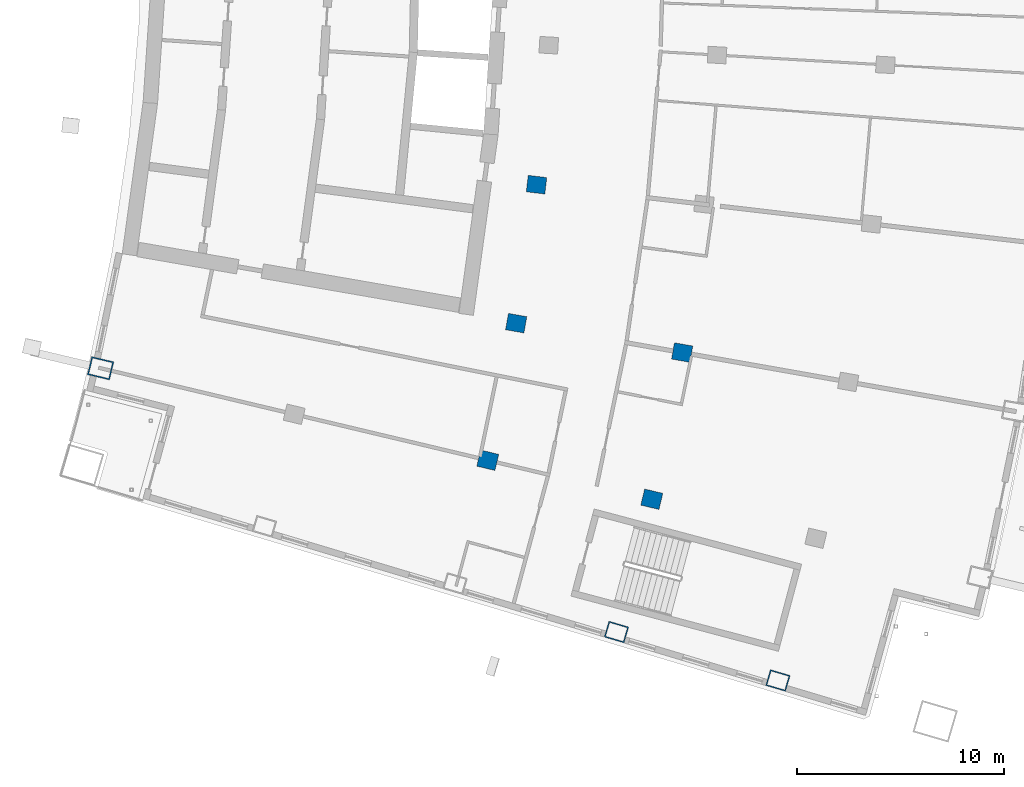
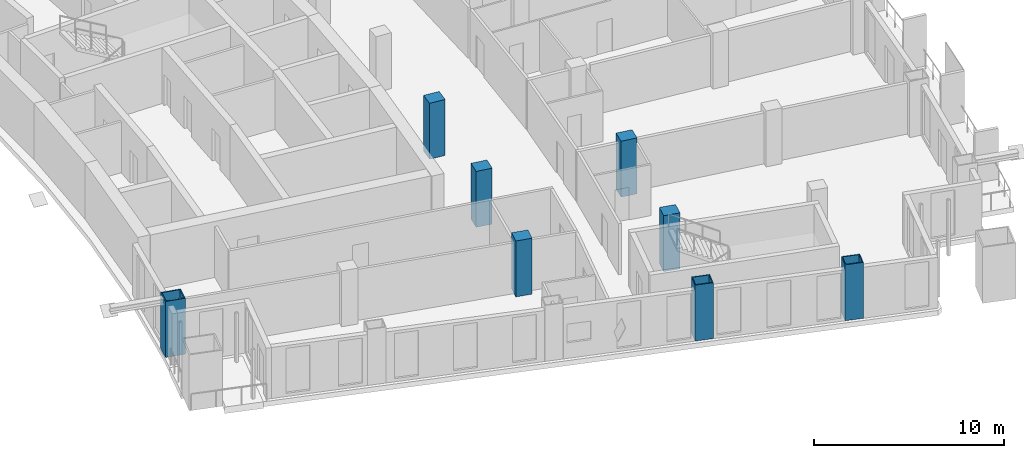
# One storey, part 2 of 21: 8 columns.
"""IFC4 building model written with IfcOpenShell, lengths in metres."""

from ifc_helpers import new_model, si_unit, direction, frame, origin, origin_2d, place, context, subcontext, project, spatial, rectangle, hollow_rectangle, extrude, material, material_profile, profile_set, type_object, element, save


model = new_model("IFC4")

# Units and contexts
model_context = context("Model", 3, precision=1e-05, world=origin(), true_north=direction((0.0, 1.0)))
body_context = subcontext(model_context, "Body", "Model", "MODEL_VIEW")
ifc_project = project(units=[si_unit("LENGTHUNIT", "METRE"), si_unit("AREAUNIT", "SQUARE_METRE"), si_unit("VOLUMEUNIT", "CUBIC_METRE"), si_unit("PLANEANGLEUNIT", "RADIAN"), si_unit("MASSUNIT", "GRAM", prefix="KILO")], contexts=[model_context])

# Site, building, storey
site_placement = place(None, origin())
site = spatial("IfcSite", under=ifc_project, at=site_placement, CompositionType="ELEMENT")
building_placement = place(site_placement, origin())
building = spatial("IfcBuilding", under=site, at=building_placement, Name="Alderwake Tower", CompositionType="ELEMENT")
storey_placement = place(building_placement, frame((0.0, 0.0, 146.0)))
storey = spatial("IfcBuildingStorey", under=building, at=storey_placement, Name="L35", CompositionType="ELEMENT", Elevation=146.0)

# Columns
ifc_material_1 = material(Name="Steel ASTM A572 Grade 50 concrete filled C70/85", Category="concrete")
ifc_material_profile_1 = material_profile(ifc_material_1, hollow_rectangle(XDim=0.800048828125, YDim=1.0, WallThickness=0.054931640625, at=origin_2d()), Name="BOX 1000X800X55")
ifc_profile_set_1 = profile_set([ifc_material_profile_1], Name="Steel ASTM A572 Grade 50 concrete filled C70/85")
column_type_1 = type_object("IfcColumnType", Name="End column Z3", PredefinedType="COLUMN", material=ifc_profile_set_1)
for number, where, z_axis, x_axis, name in (
    (1, (38.8701171875, 25.938232421875, 0.0), (0.0, 0.0, 1.0), (0.282909001444, 0.959146754622, 0.0), "Column R02-C3"),
    (2, (46.66015625, 23.599365234375, 0.0), (0.0, 0.0, 1.0), (0.283195247437, 0.959062277346, 0.0), "Column R02-C4"),
):
    element("IfcColumn", number, at=place(storey_placement, frame(where, z_axis=z_axis, x_axis=x_axis)), inside=storey, type_object=column_type_1, Name=name, PredefinedType="COLUMN", context=body_context, shape_type="SweptSolid", body=[
        extrude(hollow_rectangle(XDim=0.800048828125, YDim=1.0, WallThickness=0.054931640625, at=origin_2d()), origin(), (0.0, 0.0, 1.0), 3.60009765625),
    ])
ifc_material_2 = material(Name="Concrete C70/85", Category="concrete")
ifc_material_profile_2 = material_profile(ifc_material_2, rectangle(XDim=0.800048828125, YDim=0.89990234375, at=origin_2d()), Name="RC 900X800")
ifc_profile_set_2 = profile_set([ifc_material_profile_2], Name="Concrete C70/85")
column_type_2 = type_object("IfcColumnType", Name="Interior column Z3", PredefinedType="COLUMN", material=ifc_profile_set_2)
for number, where, z_axis, x_axis, name in (
    (3, (32.661865234375, 34.224609375, 0.0), (0.0, 0.0, 1.0), (0.231221547198, 0.972901123502, 0.0), "Column R03-C2"),
    (4, (40.57470703125, 32.343994140625, 0.0), (0.0, 0.0, 1.0), (0.231221547198, 0.972901123502, 0.0), "Column R03-C3"),
    (5, (34.03125, 40.83837890625, 0.0), (0.0, 0.0, 1.0), (0.174108800747, 0.984726421654, 0.0), "Column R04-C2"),
    (6, (42.040283203125, 39.422119140625, 0.0), (0.0, 0.0, 1.0), (0.174108800747, 0.984726421654, 0.0), "Column R04-C3"),
    (7, (35.0126953125, 47.5205078125, 0.0), (0.0, 0.0, 1.0), (0.116402054316, 0.993202175668, 0.0), "Column R05-C2"),
):
    element("IfcColumn", number, at=place(storey_placement, frame(where, z_axis=z_axis, x_axis=x_axis)), inside=storey, type_object=column_type_2, Name=name, PredefinedType="COLUMN", context=body_context, shape_type="SweptSolid", body=[
        extrude(rectangle(XDim=0.800048828125, YDim=0.89990234375, at=origin_2d()), origin(), (0.0, 0.0, 1.0), 3.60009765625),
    ])
ifc_material_3 = material(Name="Steel ASTM A572 Grade 50 concrete filled C70/85", Category="concrete")
ifc_material_profile_3 = material_profile(ifc_material_3, hollow_rectangle(XDim=0.89990234375, YDim=1.10009765625, WallThickness=0.06005859375, at=origin_2d()), Name="BOX 1100X900X60")
ifc_profile_set_3 = profile_set([ifc_material_profile_3], Name="Steel ASTM A572 Grade 50 concrete filled C70/85")
column_type_3 = type_object("IfcColumnType", Name="Perimeter column Z3", PredefinedType="COLUMN", material=ifc_profile_set_3)
column_placement = place(storey_placement, frame((13.982177734375, 38.6640625, 0.0), z_axis=(0.0, 0.0, 1.0), x_axis=(0.231221547198, 0.972901123502, 0.0)))
element("IfcColumn", 8, at=column_placement, inside=storey, type_object=column_type_3, Name="Column R03-C0", PredefinedType="COLUMN", context=body_context, shape_type="SweptSolid", body=[
    extrude(hollow_rectangle(XDim=0.89990234375, YDim=1.10009765625, WallThickness=0.06005859375, at=origin_2d()), origin(), (0.0, 0.0, 1.0), 3.60009765625),
])

save(model, "model.ifc")
